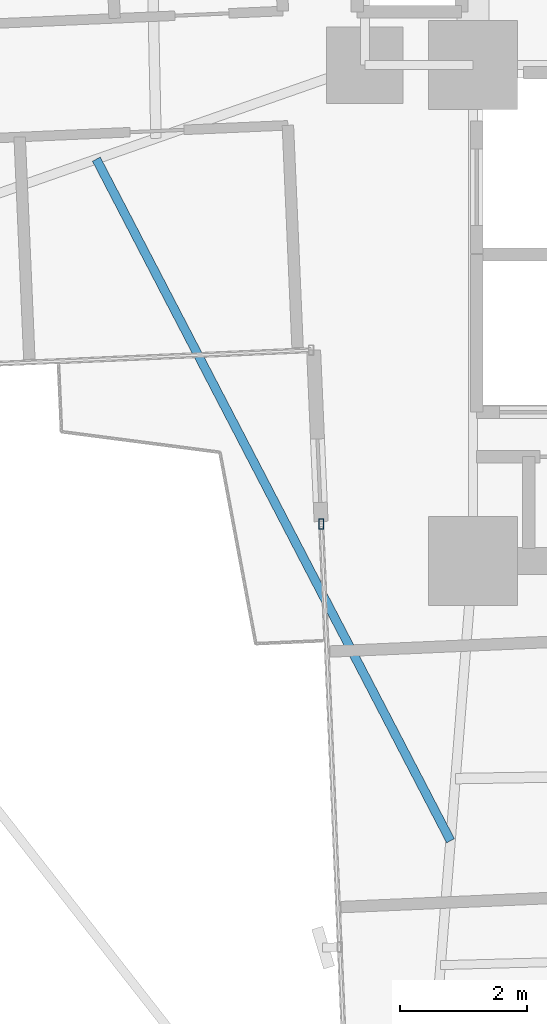
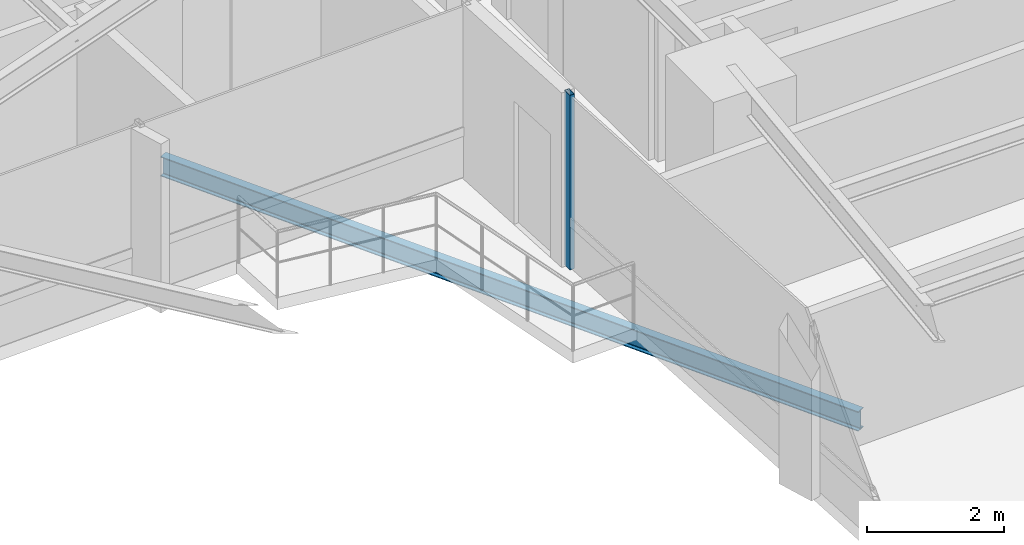
# One storey, part 5 of 26: 1 beam, 1 member, 1 element without a shape of its own.
"""IFC4 building model written with IfcOpenShell, lengths in metres."""

from ifc_helpers import new_model, si_unit, direction, frame, origin, origin_2d, place, context, subcontext, project, spatial, hollow_rectangle, i_section, extrude, source, transform, mapped, material, material_profile, profile_set, type_object, element, aggregate, save


model = new_model("IFC4")

# Units and contexts
model_context = context("Model", 3, precision=1e-05, world=origin(), true_north=direction((0.0, 1.0)))
body_context = subcontext(model_context, "Body", "Model", "MODEL_VIEW")
ifc_project = project(units=[si_unit("LENGTHUNIT", "METRE"), si_unit("AREAUNIT", "SQUARE_METRE"), si_unit("VOLUMEUNIT", "CUBIC_METRE"), si_unit("PLANEANGLEUNIT", "RADIAN"), si_unit("MASSUNIT", "GRAM", prefix="KILO")], contexts=[model_context])

# Site, building, storey
site_placement = place(None, origin())
site = spatial("IfcSite", under=ifc_project, at=site_placement, CompositionType="ELEMENT")
building_placement = place(site_placement, origin())
building = spatial("IfcBuilding", under=site, at=building_placement, Name="Sahyath Konkavel Grand Hotel", CompositionType="ELEMENT")
storey_placement = place(building_placement, frame((0.0, 0.0, 114.800048828125)))
storey = spatial("IfcBuildingStorey", under=building, at=storey_placement, Name="L31", CompositionType="ELEMENT", Elevation=114.800048828125)

# Curtain wall, member
ifc_material_1 = material(Name="Anodised Bronze Aluminium & Low-E Glazing", Category="aluminium")
curtain_wall_type = type_object("IfcCurtainWallType", Name="CW-ZONE2", PredefinedType="NOTDEFINED", material=ifc_material_1)
curtain_wall_placement = place(storey_placement, origin())
curtain_wall = element("IfcCurtainWall", 1, at=curtain_wall_placement, inside=storey, type_object=curtain_wall_type, Name="L31 Unitised Curtain Wall F24", PredefinedType="NOTDEFINED")
ifc_material_2 = material(Name="Anodised Bronze Aluminium", Category="aluminium")
ifc_material_profile_1 = material_profile(ifc_material_2, hollow_rectangle(XDim=0.080078125, YDim=0.159912109375, WallThickness=0.006103515625, at=origin_2d()), Name="RHS 160x80x6")
ifc_profile_set_1 = profile_set([ifc_material_profile_1], Name="Anodised Bronze Aluminium")
member_type = type_object("IfcMemberType", Name="CW-MUL-160", PredefinedType="MULLION", material=ifc_profile_set_1)
shared_shape_1 = source(origin(), body_context, "Body", "SweptSolid", [
    extrude(hollow_rectangle(XDim=0.080078125, YDim=0.159912109375, WallThickness=0.006103515625, at=origin_2d()), origin(), (0.0, 0.0, 1.0), 3.10986328125),
])
member_placement = place(storey_placement, frame((-6.186279296875, -9.618896484375, 0.0), z_axis=(0.0, 0.0, 1.0), x_axis=(1.0, 0.0, 0.0)))
member = element("IfcMember", 2, at=member_placement, type_object=member_type, Name="L31 Curtain Wall Mullion F24-0", PredefinedType="MULLION", context=body_context, shape_type="MappedRepresentation", body=[
    mapped(shared_shape_1, transform((0.0, 0.0, 0.0), scale=1.0)),
])
aggregate(curtain_wall, [member])

# Beam
ifc_material_3 = material(Name="Steel E350", Category="steel")
ifc_material_profile_2 = material_profile(ifc_material_3, i_section(OverallWidth=0.139892578125, OverallDepth=0.35009765625, WebThickness=0.008056640625, FlangeThickness=0.01416015625, FilletRadius=0.013916015625, at=origin_2d()), Name="ISMB 350")
ifc_profile_set_2 = profile_set([ifc_material_profile_2], Name="Steel E350")
beam_type = type_object("IfcBeamType", Name="BM-BALC-CANT", PredefinedType="BEAM", material=ifc_profile_set_2)
shared_shape_2 = source(origin(), body_context, "Body", "SweptSolid", [
    extrude(i_section(OverallWidth=0.139892578125, OverallDepth=0.35009765625, WebThickness=0.008056640625, FlangeThickness=0.01416015625, FilletRadius=0.013916015625, at=origin_2d()), origin(), (0.0, 0.0, 1.0), 12.085205078125),
])
beam_placement = place(storey_placement, frame((-9.7236328125, -3.87890625, -0.4150390625), z_axis=(0.461082384626, -0.887357331962, 0.0), x_axis=(0.887357331962, 0.461082384626, 0.0)))
element("IfcBeam", 3, at=beam_placement, inside=storey, type_object=beam_type, Name="L31 Balcony Cantilever Support Beam SW", PredefinedType="BEAM", context=body_context, shape_type="MappedRepresentation", body=[
    mapped(shared_shape_2, transform((0.0, 0.0, 0.0), scale=1.0)),
])

save(model, "model.ifc")
